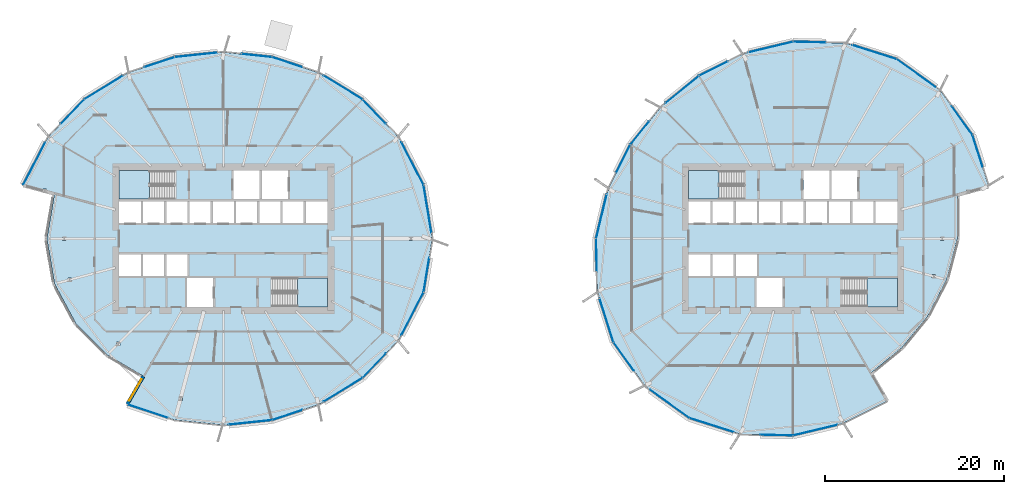
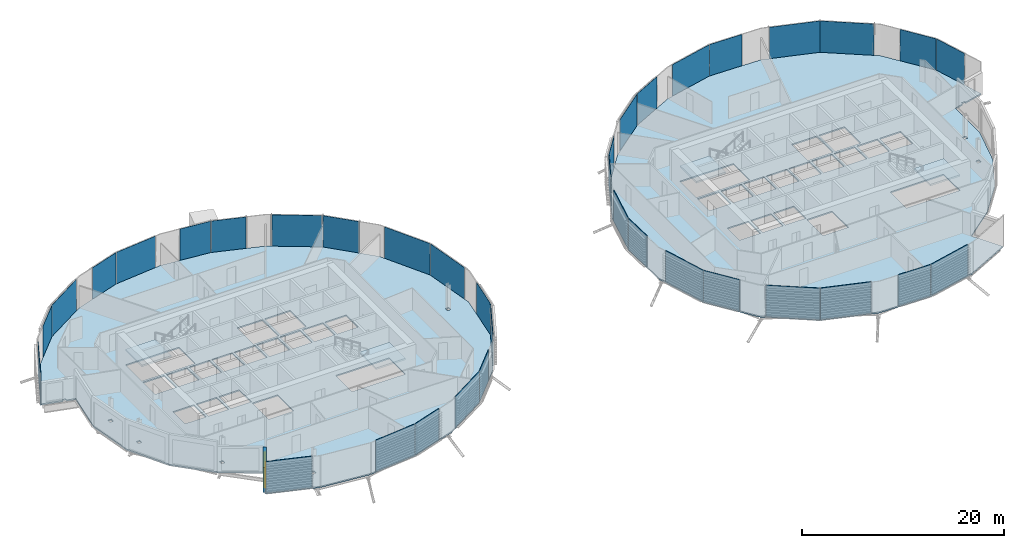
# One storey, part 20 of 38: 36 plates, 6 slabs, 1 wall, 1 window, 1 opening, 6 elements without a shape of their own.
"""IFC4 building model written with IfcOpenShell, lengths in metres."""

from ifc_helpers import new_model, si_unit, direction, frame, frame_2d, origin, origin_2d, place, context, subcontext, project, spatial, polyline, rectangle, outline, extrude, material, layer, layer_set, type_object, element, fill, aggregate, save


model = new_model("IFC4")

# Units and contexts
model_context = context("Model", 3, precision=1e-05, world=origin(), true_north=direction((0.0, 1.0)))
body_context = subcontext(model_context, "Body", "Model", "MODEL_VIEW")
ifc_project = project(units=[si_unit("LENGTHUNIT", "METRE"), si_unit("AREAUNIT", "SQUARE_METRE"), si_unit("VOLUMEUNIT", "CUBIC_METRE"), si_unit("PLANEANGLEUNIT", "RADIAN"), si_unit("MASSUNIT", "GRAM", prefix="KILO")], contexts=[model_context])

# Site, building, storey
site_placement = place(None, origin())
site = spatial("IfcSite", under=ifc_project, at=site_placement, CompositionType="ELEMENT")
building_placement = place(site_placement, origin())
building = spatial("IfcBuilding", under=site, at=building_placement, Name="Rimbun Link Towers", CompositionType="ELEMENT")
storey_placement = place(building_placement, frame((0.0, 0.0, 108.199951171875)))
storey = spatial("IfcBuildingStorey", under=building, at=storey_placement, Name="L26", CompositionType="ELEMENT", Elevation=108.199951171875)

# Slabs
ifc_material_1 = material(Name="Concrete C35/45", Category="concrete")
ifc_layer_1 = layer(ifc_material_1, 0.159912109375)
ifc_layer_set_1 = layer_set([ifc_layer_1], Name="COMPOSITE FLOOR 160")
slab_type_1 = type_object("IfcSlabType", Name="COMPOSITE FLOOR 160", PredefinedType="FLOOR", material=ifc_layer_set_1)
slab_1_placement = place(storey_placement, frame((0.0, 0.0, -0.159912109375)))
element("IfcSlab", 1, at=slab_1_placement, inside=storey, type_object=slab_type_1, Name="Floor slab T1 L26", PredefinedType="FLOOR", context=body_context, shape_type="SweptSolid", body=[
    extrude(outline(polyline([(-54.050048828125, 5.975341796875), (-51.30126953125, 11.287841796875), (-47.256591796875, 15.506591796875), (-42.41796875, 18.4775390625), (-37.167236328125, 20.217529296875), (-31.75, 20.7880859375), (-26.332763671875, 20.217529296875), (-21.08203125, 18.4775390625), (-16.243408203125, 15.506591796875), (-12.19873046875, 11.287841796875), (-9.449951171875, 5.975341796875), (-8.46728515625, 0.0), (-9.449951171875, -5.975341796875), (-12.19873046875, -11.287841796875), (-16.243408203125, -15.506591796875), (-21.08203125, -18.4775390625), (-26.332763671875, -20.217529296875), (-31.75, -20.7880859375), (-37.167236328125, -20.217529296875), (-42.41796875, -18.4775390625), (-40.617919921875, -15.35986328125), (-44.7109375, -12.9609375), (-48.18359375, -9.48779296875), (-50.57275390625, -5.04345703125), (-51.4326171875, 0.0), (-50.57275390625, 5.04345703125), (-51.4619140625, 5.28173828125), (-51.4619140625, 5.531982421875), (-51.86083984375, 5.531982421875), (-51.86083984375, 5.388671875), (-54.050048828125, 5.975341796875)]), holes=[polyline([(-36.32861328125, -18.029296875), (-36.32861328125, -17.6357421875), (-36.727783203125, -17.6357421875), (-36.727783203125, -18.029296875), (-36.32861328125, -18.029296875)]), polyline([(-43.2890625, -11.935302734375), (-43.2890625, -11.541748046875), (-43.68798828125, -11.541748046875), (-43.68798828125, -11.935302734375), (-43.2890625, -11.935302734375)]), polyline([(-48.6826171875, -4.787353515625), (-48.6826171875, -4.393798828125), (-49.081787109375, -4.393798828125), (-49.081787109375, -4.787353515625), (-48.6826171875, -4.787353515625)]), polyline([(-43.375, -4.14990234375), (-40.95556640625, -4.14990234375), (-40.95556640625, -1.75), (-43.375, -1.75), (-43.375, -4.14990234375)]), polyline([(-40.70556640625, -4.14990234375), (-38.361083984375, -4.14990234375), (-38.361083984375, -1.75), (-40.70556640625, -1.75), (-40.70556640625, -4.14990234375)]), polyline([(-35.7666015625, -4.14990234375), (-35.7666015625, -1.75), (-38.111083984375, -1.75), (-38.111083984375, -4.14990234375), (-35.7666015625, -4.14990234375)]), polyline([(-49.680908203125, -0.19677734375), (-49.281982421875, -0.19677734375), (-49.281982421875, 0.19677734375), (-49.680908203125, 0.19677734375), (-49.680908203125, -0.19677734375)]), polyline([(-43.375, 1.75), (-40.95556640625, 1.75), (-40.95556640625, 4.14990234375), (-43.375, 4.14990234375), (-43.375, 1.75)]), polyline([(-38.361083984375, 1.75), (-38.361083984375, 4.14990234375), (-40.70556640625, 4.14990234375), (-40.70556640625, 1.75), (-38.361083984375, 1.75)]), polyline([(-38.111083984375, 1.75), (-35.7666015625, 1.75), (-35.7666015625, 4.14990234375), (-38.111083984375, 4.14990234375), (-38.111083984375, 1.75)]), polyline([(-37.260009765625, 4.39990234375), (-37.260009765625, 7.625), (-43.375, 7.625), (-43.375, 4.39990234375), (-37.260009765625, 4.39990234375)]), polyline([(-35.800048828125, -7.625), (-32.89990234375, -7.625), (-32.89990234375, -4.39990234375), (-35.800048828125, -4.39990234375), (-35.800048828125, -7.625)]), polyline([(-26.239990234375, -7.625), (-20.125, -7.625), (-20.125, -4.39990234375), (-26.239990234375, -4.39990234375), (-26.239990234375, -7.625)]), polyline([(-10.646240234375, -0.19677734375), (-10.646240234375, 0.19677734375), (-11.04541015625, 0.19677734375), (-11.04541015625, -0.19677734375), (-10.646240234375, -0.19677734375)]), polyline([(-35.5166015625, 1.75), (-33.172119140625, 1.75), (-33.172119140625, 4.14990234375), (-35.5166015625, 4.14990234375), (-35.5166015625, 1.75)]), polyline([(-32.922119140625, 1.75), (-30.577880859375, 1.75), (-30.577880859375, 4.14990234375), (-32.922119140625, 4.14990234375), (-32.922119140625, 1.75)]), polyline([(-27.9833984375, 1.75), (-27.9833984375, 4.14990234375), (-30.327880859375, 4.14990234375), (-30.327880859375, 1.75), (-27.9833984375, 1.75)]), polyline([(-27.7333984375, 1.75), (-25.388916015625, 1.75), (-25.388916015625, 4.14990234375), (-27.7333984375, 4.14990234375), (-27.7333984375, 1.75)]), polyline([(-25.138916015625, 1.75), (-22.79443359375, 1.75), (-22.79443359375, 4.14990234375), (-25.138916015625, 4.14990234375), (-25.138916015625, 1.75)]), polyline([(-20.125, 1.75), (-20.125, 4.14990234375), (-22.54443359375, 4.14990234375), (-22.54443359375, 1.75), (-20.125, 1.75)]), polyline([(-30.60009765625, 4.39990234375), (-27.699951171875, 4.39990234375), (-27.699951171875, 7.625), (-30.60009765625, 7.625), (-30.60009765625, 4.39990234375)]), polyline([(-27.449951171875, 4.39990234375), (-24.550048828125, 4.39990234375), (-24.550048828125, 7.625), (-27.449951171875, 7.625), (-27.449951171875, 4.39990234375)])]), origin(), (0.0, 0.0, 1.0), 0.159912109375),
])
slab_2_placement = place(storey_placement, frame((0.0, 0.0, -0.159912109375)))
element("IfcSlab", 2, at=slab_2_placement, inside=storey, type_object=slab_type_1, Name="Floor slab T2 L26", PredefinedType="FLOOR", context=body_context, shape_type="SweptSolid", body=[
    extrude(outline(polyline([(50.0791015625, 4.911376953125), (50.07958984375, 0.0), (48.881591796875, -4.59033203125), (46.7587890625, -8.665283203125), (43.90380859375, -12.15380859375), (40.415283203125, -15.0087890625), (42.21533203125, -18.12646484375), (37.272216796875, -20.60888671875), (31.75, -21.9296875), (25.906982421875, -21.806396484375), (20.20654296875, -19.99365234375), (15.28662109375, -16.46337890625), (11.75634765625, -11.54345703125), (9.943603515625, -5.843017578125), (9.8203125, 0.0), (11.14111328125, 5.522216796875), (13.62353515625, 10.46533203125), (17.050537109375, 14.699462890625), (21.28466796875, 18.12646484375), (26.227783203125, 20.60888671875), (31.75, 21.9296875), (37.593017578125, 21.806396484375), (43.29345703125, 19.99365234375), (48.21337890625, 16.46337890625), (51.74365234375, 11.54345703125), (53.556396484375, 5.843017578125), (51.468505859375, 5.28369140625), (51.468505859375, 5.427001953125), (51.069580078125, 5.427001953125), (51.069580078125, 5.1767578125), (50.0791015625, 4.911376953125)]), holes=[polyline([(30.60009765625, -7.625), (30.60009765625, -4.39990234375), (27.699951171875, -4.39990234375), (27.699951171875, -7.625), (30.60009765625, -7.625)]), polyline([(22.54443359375, -4.14990234375), (22.54443359375, -1.75), (20.125, -1.75), (20.125, -4.14990234375), (22.54443359375, -4.14990234375)]), polyline([(25.138916015625, -4.14990234375), (25.138916015625, -1.75), (22.79443359375, -1.75), (22.79443359375, -4.14990234375), (25.138916015625, -4.14990234375)]), polyline([(25.388916015625, -4.14990234375), (27.7333984375, -4.14990234375), (27.7333984375, -1.75), (25.388916015625, -1.75), (25.388916015625, -4.14990234375)]), polyline([(20.125, 1.75), (22.54443359375, 1.75), (22.54443359375, 4.14990234375), (20.125, 4.14990234375), (20.125, 1.75)]), polyline([(25.138916015625, 1.75), (25.138916015625, 4.14990234375), (22.79443359375, 4.14990234375), (22.79443359375, 1.75), (25.138916015625, 1.75)]), polyline([(27.7333984375, 1.75), (27.7333984375, 4.14990234375), (25.388916015625, 4.14990234375), (25.388916015625, 1.75), (27.7333984375, 1.75)]), polyline([(30.327880859375, 1.75), (30.327880859375, 4.14990234375), (27.9833984375, 4.14990234375), (27.9833984375, 1.75), (30.327880859375, 1.75)]), polyline([(30.577880859375, 1.75), (32.922119140625, 1.75), (32.922119140625, 4.14990234375), (30.577880859375, 4.14990234375), (30.577880859375, 1.75)]), polyline([(20.125, 4.39990234375), (26.239990234375, 4.39990234375), (26.239990234375, 7.625), (20.125, 7.625), (20.125, 4.39990234375)]), polyline([(43.375, -7.625), (43.375, -4.39990234375), (37.260009765625, -4.39990234375), (37.260009765625, -7.625), (43.375, -7.625)]), polyline([(47.659423828125, -4.40625), (47.659423828125, -4.0126953125), (47.260498046875, -4.0126953125), (47.260498046875, -4.40625), (47.659423828125, -4.40625)]), polyline([(48.593994140625, -0.19677734375), (48.593994140625, 0.19677734375), (48.195068359375, 0.19677734375), (48.195068359375, -0.19677734375), (48.593994140625, -0.19677734375)]), polyline([(33.172119140625, 1.75), (35.5166015625, 1.75), (35.5166015625, 4.14990234375), (33.172119140625, 4.14990234375), (33.172119140625, 1.75)]), polyline([(35.7666015625, 1.75), (38.111083984375, 1.75), (38.111083984375, 4.14990234375), (35.7666015625, 4.14990234375), (35.7666015625, 1.75)]), polyline([(40.70556640625, 1.75), (40.70556640625, 4.14990234375), (38.361083984375, 4.14990234375), (38.361083984375, 1.75), (40.70556640625, 1.75)]), polyline([(43.375, 1.75), (43.375, 4.14990234375), (40.95556640625, 4.14990234375), (40.95556640625, 1.75), (43.375, 1.75)]), polyline([(32.89990234375, 4.39990234375), (35.800048828125, 4.39990234375), (35.800048828125, 7.625), (32.89990234375, 7.625), (32.89990234375, 4.39990234375)]), polyline([(36.050048828125, 4.39990234375), (38.949951171875, 4.39990234375), (38.949951171875, 7.625), (36.050048828125, 7.625), (36.050048828125, 4.39990234375)])]), origin(), (0.0, 0.0, 1.0), 0.159912109375),
])

# Curtain wall, plates
ifc_material_2 = material(Name="Aluminium 6063-T6 and low-iron glass", Category="aluminium")
curtain_wall_type = type_object("IfcCurtainWallType", Name="CW1-Z2 unitised vision wall (zone 2)", PredefinedType="NOTDEFINED", material=ifc_material_2)
curtain_wall_1_placement = place(storey_placement, origin())
curtain_wall_1 = element("IfcCurtainWall", 3, at=curtain_wall_1_placement, inside=storey, type_object=curtain_wall_type, Name="CW1 L26 T1", PredefinedType="NOTDEFINED")
ifc_material_3 = material(Name="Low-iron glass, laminated low-e unit", Category="glass")
ifc_layer_2 = layer(ifc_material_3, 0.028076171875)
ifc_layer_set_2 = layer_set([ifc_layer_2], Name="CW1 panel Low-iron glass 28")
plate_type = type_object("IfcPlateType", Name="CW1 panel Low-iron glass 28", PredefinedType="CURTAIN_PANEL", material=ifc_layer_set_2)
plate_1_placement = place(storey_placement, frame((-8.99755859375, 3.310546875, 0.0), z_axis=(0.0, 0.0, 1.0), x_axis=(0.162248230183, -0.986749974311, 0.0)))
plate_1 = element("IfcPlate", 4, at=plate_1_placement, type_object=plate_type, Name="CW1 panel", PredefinedType="CURTAIN_PANEL", context=body_context, shape_type="SweptSolid", body=[
    extrude(rectangle(XDim=5.365478515625, YDim=0.028076171875, at=origin_2d()), origin(), (0.0, 0.0, 1.0), 3.800048828125),
])
plate_2_placement = place(storey_placement, frame((-10.674072265625, 8.37158203125, 0.0), z_axis=(0.0, 0.0, 1.0), x_axis=(0.459555260307, -0.888149178193, 0.0)))
plate_2 = element("IfcPlate", 5, at=plate_2_placement, type_object=plate_type, Name="CW1 panel", PredefinedType="CURTAIN_PANEL", context=body_context, shape_type="SweptSolid", body=[
    extrude(rectangle(XDim=5.341552734375, YDim=0.028076171875, at=origin_2d()), origin(), (0.0, 0.0, 1.0), 3.800048828125),
])
plate_3_placement = place(storey_placement, frame((-14.92041015625, 14.146728515625, 0.0), z_axis=(0.0, 0.0, 1.0), x_axis=(0.692055116379, -0.721844661886, 0.0)))
plate_3 = element("IfcPlate", 6, at=plate_3_placement, type_object=plate_type, Name="CW1 panel", PredefinedType="CURTAIN_PANEL", context=body_context, shape_type="SweptSolid", body=[
    extrude(rectangle(XDim=3.75439453125, YDim=0.028076171875, at=origin_2d()), origin(), (0.0, 0.0, 1.0), 3.800048828125),
])
plate_4_placement = place(storey_placement, frame((-18.399658203125, 16.846923828125, 0.0), z_axis=(0.0, 0.0, 1.0), x_axis=(0.852184590101, -0.523241267863, 0.0)))
plate_4 = element("IfcPlate", 7, at=plate_4_placement, type_object=plate_type, Name="CW1 panel", PredefinedType="CURTAIN_PANEL", context=body_context, shape_type="SweptSolid", body=[
    extrude(rectangle(XDim=5.037841796875, YDim=0.028076171875, at=origin_2d()), origin(), (0.0, 0.0, 1.0), 3.800048828125),
])
plate_5_placement = place(storey_placement, frame((-24.62841796875, 19.66748046875, 0.0), z_axis=(0.0, 0.0, 1.0), x_axis=(0.949236840481, -0.314562268358, 0.0)))
plate_5 = element("IfcPlate", 8, at=plate_5_placement, type_object=plate_type, Name="CW1 panel", PredefinedType="CURTAIN_PANEL", context=body_context, shape_type="SweptSolid", body=[
    extrude(rectangle(XDim=3.54150390625, YDim=0.028076171875, at=origin_2d()), origin(), (0.0, 0.0, 1.0), 3.800048828125),
])
plate_6_placement = place(storey_placement, frame((-28.0205078125, 20.409423828125, 0.0), z_axis=(0.0, 0.0, 1.0), x_axis=(0.994500522859, -0.104731609524, 0.0)))
plate_6 = element("IfcPlate", 9, at=plate_6_placement, type_object=plate_type, Name="CW1 panel", PredefinedType="CURTAIN_PANEL", context=body_context, shape_type="SweptSolid", body=[
    extrude(rectangle(XDim=3.357177734375, YDim=0.028076171875, at=origin_2d()), origin(), (0.0, 0.0, 1.0), 3.800048828125),
])
plate_7_placement = place(storey_placement, frame((-34.783447265625, 20.482666015625, 0.0), z_axis=(0.0, 0.0, 1.0), x_axis=(0.994500522859, 0.104731609524, 0.0)))
plate_7 = element("IfcPlate", 10, at=plate_7_placement, type_object=plate_type, Name="CW1 panel", PredefinedType="CURTAIN_PANEL", context=body_context, shape_type="SweptSolid", body=[
    extrude(rectangle(XDim=4.75732421875, YDim=0.028076171875, at=origin_2d()), origin(), (0.0, 0.0, 1.0), 3.800048828125),
])
plate_8_placement = place(storey_placement, frame((-38.87158203125, 19.66748046875, 0.0), z_axis=(0.0, 0.0, 1.0), x_axis=(0.949236840481, 0.314562268358, 0.0)))
plate_8 = element("IfcPlate", 11, at=plate_8_placement, type_object=plate_type, Name="CW1 panel", PredefinedType="CURTAIN_PANEL", context=body_context, shape_type="SweptSolid", body=[
    extrude(rectangle(XDim=3.54150390625, YDim=0.028076171875, at=origin_2d()), origin(), (0.0, 0.0, 1.0), 3.800048828125),
])
plate_9_placement = place(storey_placement, frame((-45.100341796875, 16.846923828125, 0.0), z_axis=(0.0, 0.0, 1.0), x_axis=(0.852184590101, 0.523241267863, 0.0)))
plate_9 = element("IfcPlate", 12, at=plate_9_placement, type_object=plate_type, Name="CW1 panel", PredefinedType="CURTAIN_PANEL", context=body_context, shape_type="SweptSolid", body=[
    extrude(rectangle(XDim=5.037841796875, YDim=0.028076171875, at=origin_2d()), origin(), (0.0, 0.0, 1.0), 3.800048828125),
])
plate_10_placement = place(storey_placement, frame((-48.57958984375, 14.146728515625, 0.0), z_axis=(0.0, 0.0, 1.0), x_axis=(0.692055116379, 0.721844661886, 0.0)))
plate_10 = element("IfcPlate", 13, at=plate_10_placement, type_object=plate_type, Name="CW1 panel", PredefinedType="CURTAIN_PANEL", context=body_context, shape_type="SweptSolid", body=[
    extrude(rectangle(XDim=3.75439453125, YDim=0.028076171875, at=origin_2d()), origin(), (0.0, 0.0, 1.0), 3.800048828125),
])
plate_11_placement = place(storey_placement, frame((-52.825927734375, 8.37158203125, 0.0), z_axis=(0.0, 0.0, 1.0), x_axis=(0.459555260307, 0.888149178193, 0.0)))
plate_11 = element("IfcPlate", 14, at=plate_11_placement, type_object=plate_type, Name="CW1 panel", PredefinedType="CURTAIN_PANEL", context=body_context, shape_type="SweptSolid", body=[
    extrude(rectangle(XDim=5.341552734375, YDim=0.028076171875, at=origin_2d()), origin(), (0.0, 0.0, 1.0), 3.800048828125),
])
plate_12_placement = place(storey_placement, frame((-40.1767578125, -19.23486328125, 0.0), z_axis=(0.0, 0.0, 1.0), x_axis=(-0.949236840481, 0.314562268358, 0.0)))
plate_12 = element("IfcPlate", 15, at=plate_12_placement, type_object=plate_type, Name="CW1 panel", PredefinedType="CURTAIN_PANEL", context=body_context, shape_type="SweptSolid", body=[
    extrude(rectangle(XDim=4.69140625, YDim=0.028076171875, at=origin_2d()), origin(), (0.0, 0.0, 1.0), 3.800048828125),
])
plate_13_placement = place(storey_placement, frame((-28.741455078125, -20.4853515625, 0.0), z_axis=(0.0, 0.0, 1.0), x_axis=(-0.994500522859, -0.104731609524, 0.0)))
plate_13 = element("IfcPlate", 16, at=plate_13_placement, type_object=plate_type, Name="CW1 panel", PredefinedType="CURTAIN_PANEL", context=body_context, shape_type="SweptSolid", body=[
    extrude(rectangle(XDim=4.807373046875, YDim=0.028076171875, at=origin_2d()), origin(), (0.0, 0.0, 1.0), 3.800048828125),
])
plate_14_placement = place(storey_placement, frame((-24.62841796875, -19.66748046875, 0.0), z_axis=(0.0, 0.0, 1.0), x_axis=(-0.949236840481, -0.314562268358, 0.0)))
plate_14 = element("IfcPlate", 17, at=plate_14_placement, type_object=plate_type, Name="CW1 panel", PredefinedType="CURTAIN_PANEL", context=body_context, shape_type="SweptSolid", body=[
    extrude(rectangle(XDim=3.54150390625, YDim=0.028076171875, at=origin_2d()), origin(), (0.0, 0.0, 1.0), 3.800048828125),
])
plate_15_placement = place(storey_placement, frame((-18.399658203125, -16.846923828125, 0.0), z_axis=(0.0, 0.0, 1.0), x_axis=(-0.852184590101, -0.523241267863, 0.0)))
plate_15 = element("IfcPlate", 18, at=plate_15_placement, type_object=plate_type, Name="CW1 panel", PredefinedType="CURTAIN_PANEL", context=body_context, shape_type="SweptSolid", body=[
    extrude(rectangle(XDim=5.037841796875, YDim=0.028076171875, at=origin_2d()), origin(), (0.0, 0.0, 1.0), 3.800048828125),
])
plate_16_placement = place(storey_placement, frame((-14.92041015625, -14.146728515625, 0.0), z_axis=(0.0, 0.0, 1.0), x_axis=(-0.692055116379, -0.721844661886, 0.0)))
plate_16 = element("IfcPlate", 19, at=plate_16_placement, type_object=plate_type, Name="CW1 panel", PredefinedType="CURTAIN_PANEL", context=body_context, shape_type="SweptSolid", body=[
    extrude(rectangle(XDim=3.75439453125, YDim=0.028076171875, at=origin_2d()), origin(), (0.0, 0.0, 1.0), 3.800048828125),
])
plate_17_placement = place(storey_placement, frame((-10.674072265625, -8.37158203125, 0.0), z_axis=(0.0, 0.0, 1.0), x_axis=(-0.459555260307, -0.888149178193, 0.0)))
plate_17 = element("IfcPlate", 20, at=plate_17_placement, type_object=plate_type, Name="CW1 panel", PredefinedType="CURTAIN_PANEL", context=body_context, shape_type="SweptSolid", body=[
    extrude(rectangle(XDim=5.341552734375, YDim=0.028076171875, at=origin_2d()), origin(), (0.0, 0.0, 1.0), 3.800048828125),
])
plate_18_placement = place(storey_placement, frame((-9.119140625, -4.05078125, 0.0), z_axis=(0.0, 0.0, 1.0), x_axis=(-0.162248230183, -0.986749974311, 0.0)))
plate_18 = element("IfcPlate", 21, at=plate_18_placement, type_object=plate_type, Name="CW1 panel", PredefinedType="CURTAIN_PANEL", context=body_context, shape_type="SweptSolid", body=[
    extrude(rectangle(XDim=3.865478515625, YDim=0.028076171875, at=origin_2d()), origin(), (0.0, 0.0, 1.0), 3.800048828125),
])
aggregate(curtain_wall_1, [plate_1, plate_2, plate_3, plate_4, plate_5, plate_6, plate_7, plate_8, plate_9, plate_10, plate_11, plate_12, plate_13, plate_14, plate_15, plate_16, plate_17, plate_18])

curtain_wall_2_placement = place(storey_placement, origin())
curtain_wall_2 = element("IfcCurtainWall", 22, at=curtain_wall_2_placement, inside=storey, type_object=curtain_wall_type, Name="CW1 L26 T2", PredefinedType="NOTDEFINED")
plate_19_placement = place(storey_placement, frame((45.49755859375, 18.429443359375, 0.0), z_axis=(0.0, 0.0, 1.0), x_axis=(0.812467340473, -0.583006707221, 0.0)))
plate_19 = element("IfcPlate", 23, at=plate_19_placement, type_object=plate_type, Name="CW1 panel", PredefinedType="CURTAIN_PANEL", context=body_context, shape_type="SweptSolid", body=[
    extrude(rectangle(XDim=5.365478515625, YDim=0.028076171875, at=origin_2d()), origin(), (0.0, 0.0, 1.0), 3.800048828125),
])
plate_20_placement = place(storey_placement, frame((40.82861328125, 20.792236328125, 0.0), z_axis=(0.0, 0.0, 1.0), x_axis=(0.952972314709, -0.303057366512, 0.0)))
plate_20 = element("IfcPlate", 24, at=plate_20_placement, type_object=plate_type, Name="CW1 panel", PredefinedType="CURTAIN_PANEL", context=body_context, shape_type="SweptSolid", body=[
    extrude(rectangle(XDim=5.1416015625, YDim=0.028076171875, at=origin_2d()), origin(), (0.0, 0.0, 1.0), 3.800048828125),
])
plate_21_placement = place(storey_placement, frame((33.596923828125, 21.90478515625, 0.0), z_axis=(0.0, 0.0, 1.0), x_axis=(0.999778144708, -0.021063270517, 0.0)))
plate_21 = element("IfcPlate", 25, at=plate_21_placement, type_object=plate_type, Name="CW1 panel", PredefinedType="CURTAIN_PANEL", context=body_context, shape_type="SweptSolid", body=[
    extrude(rectangle(XDim=3.654296875, YDim=0.028076171875, at=origin_2d()), origin(), (0.0, 0.0, 1.0), 3.800048828125),
])
plate_22_placement = place(storey_placement, frame((29.27734375, 21.352783203125, 0.0), z_axis=(0.0, 0.0, 1.0), x_axis=(0.972575947038, 0.232585526726, 0.0)))
plate_22 = element("IfcPlate", 26, at=plate_22_placement, type_object=plate_type, Name="CW1 panel", PredefinedType="CURTAIN_PANEL", context=body_context, shape_type="SweptSolid", body=[
    extrude(rectangle(XDim=5.037841796875, YDim=0.028076171875, at=origin_2d()), origin(), (0.0, 0.0, 1.0), 3.800048828125),
])
plate_23_placement = place(storey_placement, frame((22.878662109375, 18.942626953125, 0.0), z_axis=(0.0, 0.0, 1.0), x_axis=(0.893637595797, 0.448789312905, 0.0)))
plate_23 = element("IfcPlate", 27, at=plate_23_placement, type_object=plate_type, Name="CW1 panel", PredefinedType="CURTAIN_PANEL", context=body_context, shape_type="SweptSolid", body=[
    extrude(rectangle(XDim=3.54150390625, YDim=0.028076171875, at=origin_2d()), origin(), (0.0, 0.0, 1.0), 3.800048828125),
])
plate_24_placement = place(storey_placement, frame((19.411376953125, 16.62841796875, 0.0), z_axis=(0.0, 0.0, 1.0), x_axis=(0.777282918383, 0.629151225693, 0.0)))
plate_24 = element("IfcPlate", 28, at=plate_24_placement, type_object=plate_type, Name="CW1 panel", PredefinedType="CURTAIN_PANEL", context=body_context, shape_type="SweptSolid", body=[
    extrude(rectangle(XDim=4.757080078125, YDim=0.028076171875, at=origin_2d()), origin(), (0.0, 0.0, 1.0), 3.800048828125),
])
plate_25_placement = place(storey_placement, frame((14.66552734375, 11.775146484375, 0.0), z_axis=(0.0, 0.0, 1.0), x_axis=(0.629151225693, 0.777282918383, 0.0)))
plate_25 = element("IfcPlate", 29, at=plate_25_placement, type_object=plate_type, Name="CW1 panel", PredefinedType="CURTAIN_PANEL", context=body_context, shape_type="SweptSolid", body=[
    extrude(rectangle(XDim=3.30712890625, YDim=0.028076171875, at=origin_2d()), origin(), (0.0, 0.0, 1.0), 3.800048828125),
])
plate_26_placement = place(storey_placement, frame((12.818603515625, 8.893798828125, 0.0), z_axis=(0.0, 0.0, 1.0), x_axis=(0.448789312905, 0.893637595797, 0.0)))
plate_26 = element("IfcPlate", 30, at=plate_26_placement, type_object=plate_type, Name="CW1 panel", PredefinedType="CURTAIN_PANEL", context=body_context, shape_type="SweptSolid", body=[
    extrude(rectangle(XDim=3.491455078125, YDim=0.028076171875, at=origin_2d()), origin(), (0.0, 0.0, 1.0), 3.800048828125),
])
plate_27_placement = place(storey_placement, frame((10.397216796875, 2.47265625, 0.0), z_axis=(0.0, 0.0, 1.0), x_axis=(0.232585526726, 0.972575947038, 0.0)))
plate_27 = element("IfcPlate", 31, at=plate_27_placement, type_object=plate_type, Name="CW1 panel", PredefinedType="CURTAIN_PANEL", context=body_context, shape_type="SweptSolid", body=[
    extrude(rectangle(XDim=5.037841796875, YDim=0.028076171875, at=origin_2d()), origin(), (0.0, 0.0, 1.0), 3.800048828125),
])
plate_28_placement = place(storey_placement, frame((9.8447265625, -1.822021484375, 0.0), z_axis=(0.0, 0.0, 1.0), x_axis=(-0.021063270517, 0.999778144708, 0.0)))
plate_28 = element("IfcPlate", 32, at=plate_28_placement, type_object=plate_type, Name="CW1 panel", PredefinedType="CURTAIN_PANEL", context=body_context, shape_type="SweptSolid", body=[
    extrude(rectangle(XDim=3.604248046875, YDim=0.028076171875, at=origin_2d()), origin(), (0.0, 0.0, 1.0), 3.800048828125),
])
plate_29_placement = place(storey_placement, frame((10.96533203125, -9.1025390625, 0.0), z_axis=(0.0, 0.0, 1.0), x_axis=(-0.303057366512, 0.952972314709, 0.0)))
plate_29 = element("IfcPlate", 33, at=plate_29_placement, type_object=plate_type, Name="CW1 panel", PredefinedType="CURTAIN_PANEL", context=body_context, shape_type="SweptSolid", body=[
    extrude(rectangle(XDim=5.091796875, YDim=0.028076171875, at=origin_2d()), origin(), (0.0, 0.0, 1.0), 3.800048828125),
])
plate_30_placement = place(storey_placement, frame((12.89794921875, -13.158447265625, 0.0), z_axis=(0.0, 0.0, 1.0), x_axis=(-0.583006707221, 0.812467340473, 0.0)))
plate_30 = element("IfcPlate", 34, at=plate_30_placement, type_object=plate_type, Name="CW1 panel", PredefinedType="CURTAIN_PANEL", context=body_context, shape_type="SweptSolid", body=[
    extrude(rectangle(XDim=3.91552734375, YDim=0.028076171875, at=origin_2d()), origin(), (0.0, 0.0, 1.0), 3.800048828125),
])
plate_31_placement = place(storey_placement, frame((18.00244140625, -18.429443359375, 0.0), z_axis=(0.0, 0.0, 1.0), x_axis=(-0.812467340473, 0.583006707221, 0.0)))
plate_31 = element("IfcPlate", 35, at=plate_31_placement, type_object=plate_type, Name="CW1 panel", PredefinedType="CURTAIN_PANEL", context=body_context, shape_type="SweptSolid", body=[
    extrude(rectangle(XDim=5.365478515625, YDim=0.028076171875, at=origin_2d()), origin(), (0.0, 0.0, 1.0), 3.800048828125),
])
plate_32_placement = place(storey_placement, frame((22.67138671875, -20.792236328125, 0.0), z_axis=(0.0, 0.0, 1.0), x_axis=(-0.952972314709, 0.303057366512, 0.0)))
plate_32 = element("IfcPlate", 36, at=plate_32_placement, type_object=plate_type, Name="CW1 panel", PredefinedType="CURTAIN_PANEL", context=body_context, shape_type="SweptSolid", body=[
    extrude(rectangle(XDim=5.1416015625, YDim=0.028076171875, at=origin_2d()), origin(), (0.0, 0.0, 1.0), 3.800048828125),
])
plate_33_placement = place(storey_placement, frame((29.903076171875, -21.90478515625, 0.0), z_axis=(0.0, 0.0, 1.0), x_axis=(-0.999778144708, 0.021063270517, 0.0)))
plate_33 = element("IfcPlate", 37, at=plate_33_placement, type_object=plate_type, Name="CW1 panel", PredefinedType="CURTAIN_PANEL", context=body_context, shape_type="SweptSolid", body=[
    extrude(rectangle(XDim=3.654296875, YDim=0.028076171875, at=origin_2d()), origin(), (0.0, 0.0, 1.0), 3.800048828125),
])
plate_34_placement = place(storey_placement, frame((34.22265625, -21.352783203125, 0.0), z_axis=(0.0, 0.0, 1.0), x_axis=(-0.972575947038, -0.232585526726, 0.0)))
plate_34 = element("IfcPlate", 38, at=plate_34_placement, type_object=plate_type, Name="CW1 panel", PredefinedType="CURTAIN_PANEL", context=body_context, shape_type="SweptSolid", body=[
    extrude(rectangle(XDim=5.037841796875, YDim=0.028076171875, at=origin_2d()), origin(), (0.0, 0.0, 1.0), 3.800048828125),
])
plate_35_placement = place(storey_placement, frame((52.330078125, 9.74560546875, 0.0), z_axis=(0.0, 0.0, 1.0), x_axis=(0.303057366512, -0.952972314709, 0.0)))
plate_35 = element("IfcPlate", 39, at=plate_35_placement, type_object=plate_type, Name="CW1 panel", PredefinedType="CURTAIN_PANEL", context=body_context, shape_type="SweptSolid", body=[
    extrude(rectangle(XDim=3.74169921875, YDim=0.028076171875, at=origin_2d()), origin(), (0.0, 0.0, 1.0), 3.800048828125),
])
plate_36_placement = place(storey_placement, frame((50.60205078125, 13.158447265625, 0.0), z_axis=(0.0, 0.0, 1.0), x_axis=(0.583006707221, -0.812467340473, 0.0)))
plate_36 = element("IfcPlate", 40, at=plate_36_placement, type_object=plate_type, Name="CW1 panel", PredefinedType="CURTAIN_PANEL", context=body_context, shape_type="SweptSolid", body=[
    extrude(rectangle(XDim=3.91552734375, YDim=0.028076171875, at=origin_2d()), origin(), (0.0, 0.0, 1.0), 3.800048828125),
])
aggregate(curtain_wall_2, [plate_19, plate_20, plate_21, plate_22, plate_23, plate_24, plate_25, plate_26, plate_27, plate_28, plate_29, plate_30, plate_31, plate_32, plate_33, plate_34, plate_35, plate_36])

# Stair, slab
ifc_material_4 = material(Name="Concrete C40/50", Category="concrete")
stair_type = type_object("IfcStairType", Name="Exit stair 3800 rise", PredefinedType="HALF_TURN_STAIR", material=ifc_material_4)
stair_1_placement = place(storey_placement, origin())
stair_1 = element("IfcStair", 41, at=stair_1_placement, inside=storey, type_object=stair_type, Name="L26 EXIT STAIR A", PredefinedType="HALF_TURN_STAIR")
ifc_material_5 = material(Name="Concrete C40/50", Category="concrete")
ifc_layer_3 = layer(ifc_material_5, 0.199951171875)
ifc_layer_set_3 = layer_set([ifc_layer_3], Name="Stair landing")
slab_type_2 = type_object("IfcSlabType", Name="Stair landing", PredefinedType="LANDING", material=ifc_layer_set_3)
slab_3_placement = place(storey_placement, frame((0.0, 0.0, 1.699951171875)))
slab_3 = element("IfcSlab", 42, at=slab_3_placement, type_object=slab_type_2, Name="ST1 landing 1", PredefinedType="LANDING", context=body_context, shape_type="SweptSolid", body=[
    extrude(outline(polyline([(-40.0, 7.625), (-43.375, 7.625), (-43.375, 4.39990234375), (-40.0, 4.39990234375), (-40.0, 7.625)])), origin(), (0.0, 0.0, 1.0), 0.2001953125),
])
aggregate(stair_1, [slab_3])

stair_2_placement = place(storey_placement, origin())
stair_2 = element("IfcStair", 43, at=stair_2_placement, inside=storey, type_object=stair_type, Name="L26 EXIT STAIR B", PredefinedType="HALF_TURN_STAIR")
slab_4_placement = place(storey_placement, frame((0.0, 0.0, 1.699951171875)))
slab_4 = element("IfcSlab", 44, at=slab_4_placement, type_object=slab_type_2, Name="ST2 landing 1", PredefinedType="LANDING", context=body_context, shape_type="SweptSolid", body=[
    extrude(outline(polyline([(-23.5, -7.625), (-20.125, -7.625), (-20.125, -4.39990234375), (-23.5, -4.39990234375), (-23.5, -7.625)])), origin(), (0.0, 0.0, 1.0), 0.2001953125),
])
aggregate(stair_2, [slab_4])

stair_3_placement = place(storey_placement, origin())
stair_3 = element("IfcStair", 45, at=stair_3_placement, inside=storey, type_object=stair_type, Name="L26 EXIT STAIR A", PredefinedType="HALF_TURN_STAIR")
slab_5_placement = place(storey_placement, frame((0.0, 0.0, 1.699951171875)))
slab_5 = element("IfcSlab", 46, at=slab_5_placement, type_object=slab_type_2, Name="ST3 landing 1", PredefinedType="LANDING", context=body_context, shape_type="SweptSolid", body=[
    extrude(outline(polyline([(23.5, 7.625), (20.125, 7.625), (20.125, 4.39990234375), (23.5, 4.39990234375), (23.5, 7.625)])), origin(), (0.0, 0.0, 1.0), 0.2001953125),
])
aggregate(stair_3, [slab_5])

stair_4_placement = place(storey_placement, origin())
stair_4 = element("IfcStair", 47, at=stair_4_placement, inside=storey, type_object=stair_type, Name="L26 EXIT STAIR B", PredefinedType="HALF_TURN_STAIR")
slab_6_placement = place(storey_placement, frame((0.0, 0.0, 1.699951171875)))
slab_6 = element("IfcSlab", 48, at=slab_6_placement, type_object=slab_type_2, Name="ST4 landing 1", PredefinedType="LANDING", context=body_context, shape_type="SweptSolid", body=[
    extrude(outline(polyline([(40.0, -7.625), (43.375, -7.625), (43.375, -4.39990234375), (40.0, -4.39990234375), (40.0, -7.625)])), origin(), (0.0, 0.0, 1.0), 0.2001953125),
])
aggregate(stair_4, [slab_6])

# Wall, opening, window
ifc_material_6 = material(Name="Dark enamelled glass spandrel on insulated aluminium backpan", Category="aluminium")
ifc_layer_4 = layer(ifc_material_6, 0.3701171875)
ifc_layer_set_4 = layer_set([ifc_layer_4], Name="CS dark enamelled spandrel wall 370")
wall_type = type_object("IfcWallType", Name="CS dark enamelled spandrel wall 370", PredefinedType="STANDARD", material=ifc_layer_set_4)
wall_placement = place(storey_placement, frame((-42.46435546875, -18.427734375, 0.0), z_axis=(0.0, 0.0, 1.0), x_axis=(0.500011709085, 0.866018643436, 0.0)))
wall = element("IfcWall", 49, at=wall_placement, inside=storey, type_object=wall_type, Name="Crease spandrel wall", PredefinedType="STANDARD", context=body_context, shape_type="SweptSolid", body=[
    extrude(rectangle(XDim=3.580078125, YDim=0.3701171875, at=frame_2d((1.7900390625, 0.0))), origin(), (0.0, 0.0, 1.0), 3.02734375),
])
opening_placement = place(wall_placement, frame((0.4150390625, 0.0, 0.300048828125)))
opening = element("IfcOpeningElement", 50, at=opening_placement, cuts=wall, Name="Opening WR28H245", PredefinedType="OPENING", context=body_context, shape_type="SweptSolid", body=[
    extrude(rectangle(XDim=2.75, YDim=2.449951171875, at=frame_2d((1.375, 1.22509765625))), frame((0.0, 0.195068359375, 0.0), z_axis=(0.0, -1.0, 0.0), x_axis=(1.0, 0.0, 0.0)), (0.0, 0.0, 1.0), 0.39013671875),
])
ifc_material_7 = material(Name="Aluminium framed fixed window, dark tinted low-e glass", Category="aluminium")
window_type = type_object("IfcWindowType", Name="WR ribbon window 2750X2450", PartitioningType="SINGLE_PANEL", PredefinedType="WINDOW", material=ifc_material_7)
window_placement = place(opening_placement, origin())
window = element("IfcWindow", 51, at=window_placement, inside=storey, type_object=window_type, Name="Crease ribbon window", OverallHeight=2.449951171875, OverallWidth=2.75, PartitioningType="SINGLE_PANEL", PredefinedType="WINDOW", context=body_context, shape_type="SweptSolid", body=[
    extrude(rectangle(XDim=2.75, YDim=2.449951171875, at=frame_2d((1.375, 1.22509765625))), frame((0.0, 0.030029296875, 0.0), z_axis=(0.0, -1.0, 0.0), x_axis=(1.0, 0.0, 0.0)), (0.0, 0.0, 1.0), 0.06005859375),
])
fill(opening, window)

save(model, "model.ifc")
